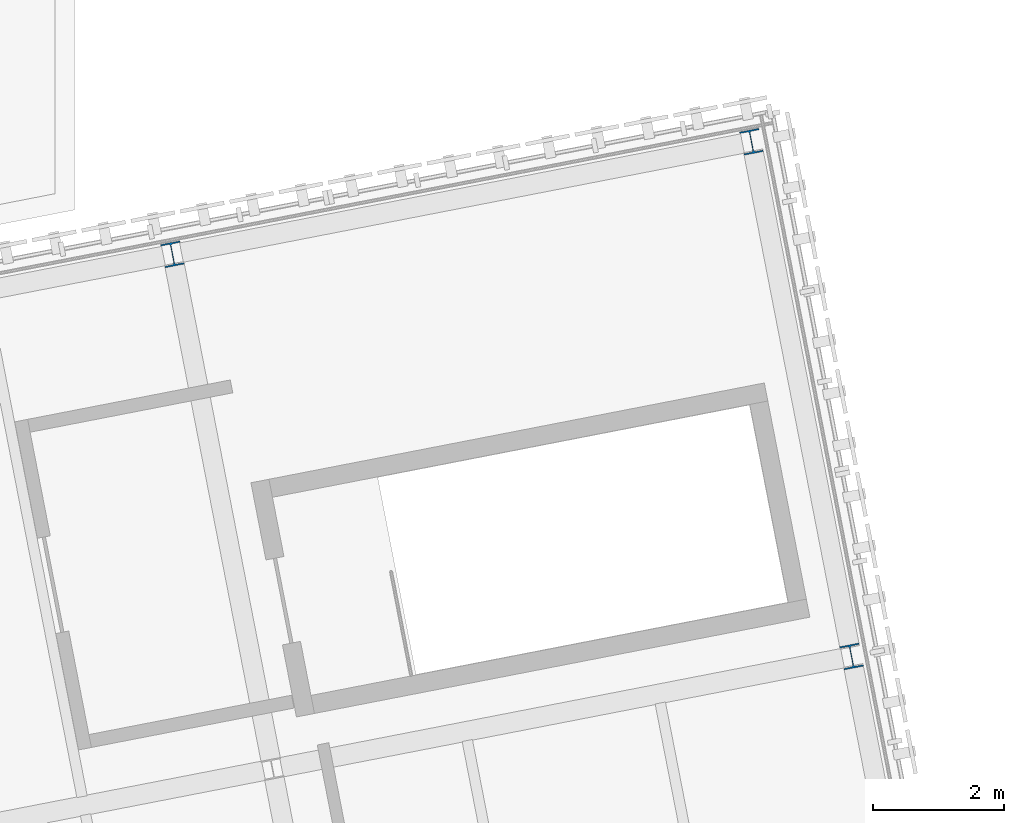
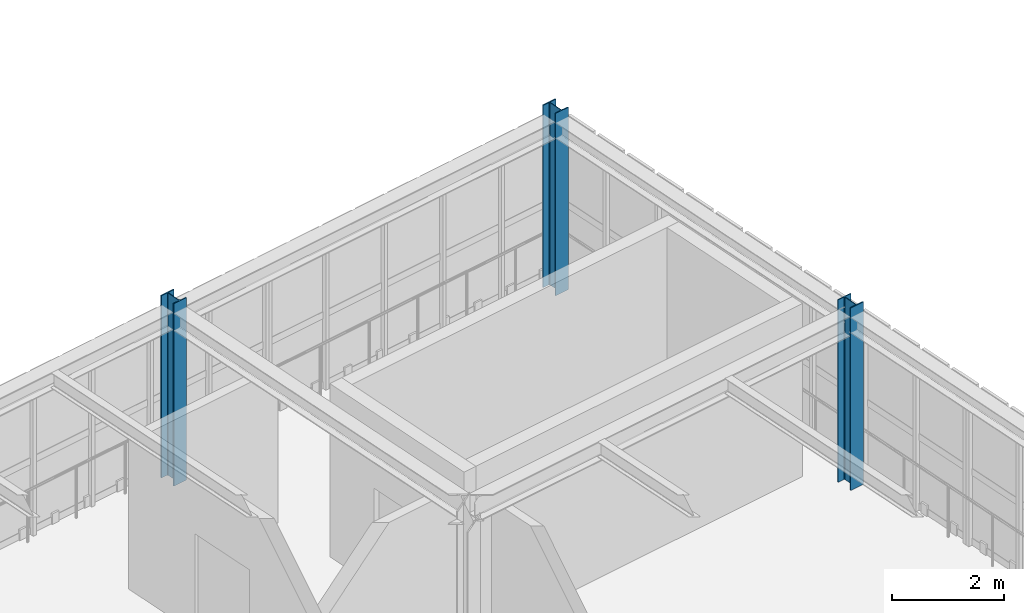
# One storey, part 8 of 44: 3 columns.
"""IFC4 building model written with IfcOpenShell, lengths in metres."""

from ifc_helpers import new_model, si_unit, direction, frame, origin, origin_2d, place, context, subcontext, project, spatial, i_section, extrude, material, material_profile, profile_set, type_object, element, save


model = new_model("IFC4")

# Units and contexts
model_context = context("Model", 3, precision=1e-05, world=origin(), true_north=direction((0.0, 1.0)))
body_context = subcontext(model_context, "Body", "Model", "MODEL_VIEW")
ifc_project = project(units=[si_unit("LENGTHUNIT", "METRE"), si_unit("AREAUNIT", "SQUARE_METRE"), si_unit("VOLUMEUNIT", "CUBIC_METRE"), si_unit("PLANEANGLEUNIT", "RADIAN"), si_unit("MASSUNIT", "GRAM", prefix="KILO")], contexts=[model_context])

# Site, building, storey
site_placement = place(None, origin())
site = spatial("IfcSite", under=ifc_project, at=site_placement, CompositionType="ELEMENT")
building_placement = place(site_placement, origin())
building = spatial("IfcBuilding", under=site, at=building_placement, Name="Varnklinge Art Gallery", CompositionType="ELEMENT")
storey_placement = place(building_placement, frame((0.0, 0.0, 13.679931640625)))
storey = spatial("IfcBuildingStorey", under=building, at=storey_placement, Name="L03", CompositionType="ELEMENT", Elevation=13.679931640625)

# Columns
ifc_material = material(Name="Steel S355", Category="steel")
ifc_material_profile = material_profile(ifc_material, i_section(OverallWidth=0.300048828125, OverallDepth=0.360107421875, WebThickness=0.012451171875, FlangeThickness=0.0224609375, FilletRadius=0.027099609375, at=origin_2d()), Name="HEB 360")
ifc_profile_set = profile_set([ifc_material_profile], Name="Steel S355")
column_type = type_object("IfcColumnType", Name="COL-E4", PredefinedType="COLUMN", material=ifc_profile_set)
for number, where, z_axis, x_axis, name in (
    (1, (78.292724609375, 81.192626953125, 0.0), (0.0, 0.0, 1.0), (0.981627183448, 0.190808995377, 0.0), "L03 Column V4BC-3-3"),
    (2, (88.65380859375, 75.056884765625, 0.0), (0.0, 0.0, 1.0), (0.981627183448, 0.190808995377, 0.0), "L03 Column V4BC-4-2"),
    (3, (87.127197265625, 82.909912109375, 0.0), (0.0, 0.0, 1.0), (0.981627183448, 0.190808995377, 0.0), "L03 Column V4BC-4-3"),
):
    element("IfcColumn", number, at=place(storey_placement, frame(where, z_axis=z_axis, x_axis=x_axis)), inside=storey, type_object=column_type, Name=name, PredefinedType="COLUMN", context=body_context, shape_type="SweptSolid", body=[
        extrude(i_section(OverallWidth=0.300048828125, OverallDepth=0.360107421875, WebThickness=0.012451171875, FlangeThickness=0.0224609375, FilletRadius=0.027099609375, at=origin_2d()), origin(), (0.0, 0.0, 1.0), 3.9599609375),
    ])

save(model, "model.ifc")
